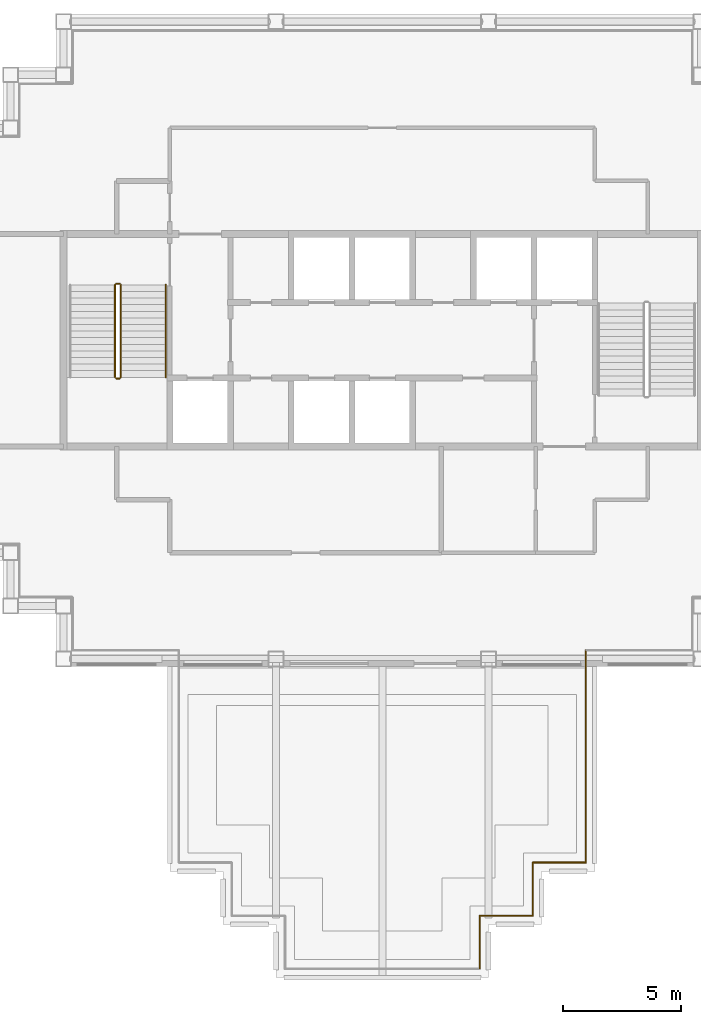
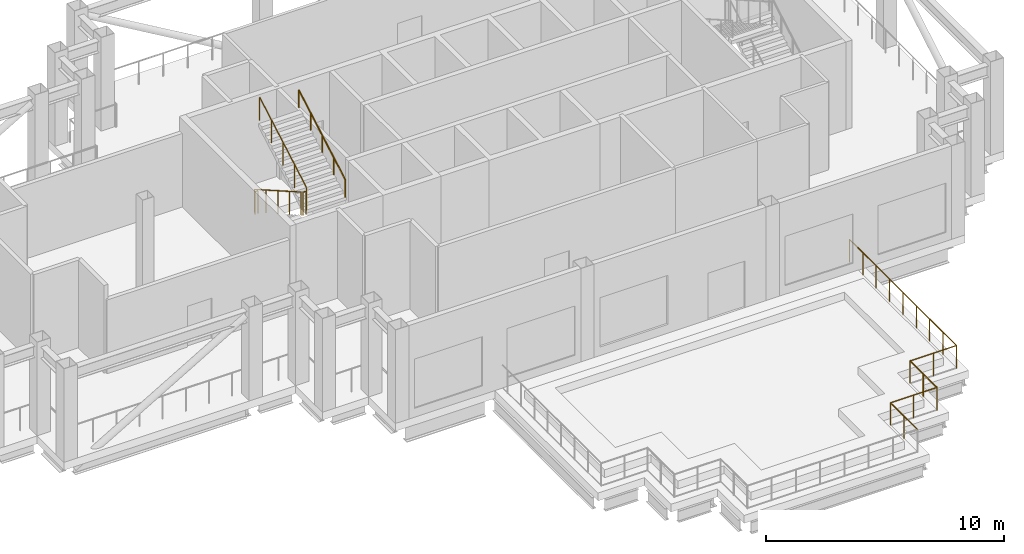
# One storey, part 8 of 10: 10 railings.
"""IFC4 building model written with IfcOpenShell, lengths in metres."""

from ifc_helpers import new_model, si_unit, direction, frame, origin, origin_2d, place, context, subcontext, project, spatial, circle, extrude, material, type_object, element, save


model = new_model("IFC4")

# Units and contexts
model_context = context("Model", 3, precision=1e-05, world=origin(), true_north=direction((0.0, 1.0)))
body_context = subcontext(model_context, "Body", "Model", "MODEL_VIEW")
ifc_project = project(units=[si_unit("LENGTHUNIT", "METRE"), si_unit("AREAUNIT", "SQUARE_METRE"), si_unit("VOLUMEUNIT", "CUBIC_METRE"), si_unit("PLANEANGLEUNIT", "RADIAN"), si_unit("MASSUNIT", "GRAM", prefix="KILO")], contexts=[model_context])

# Site, building, storey
site_placement = place(None, origin())
site = spatial("IfcSite", under=ifc_project, at=site_placement, CompositionType="ELEMENT")
building_placement = place(site_placement, origin())
building = spatial("IfcBuilding", under=site, at=building_placement, Name="Caravel Reach Hotel and Residences", CompositionType="ELEMENT")
storey_placement = place(building_placement, frame((0.0, 0.0, 233.10009765625)))
storey = spatial("IfcBuildingStorey", under=building, at=storey_placement, Name="L59", CompositionType="ELEMENT", Elevation=233.10009765625)

# Railings
ifc_material_1 = material(Name="Stainless steel S30408", Category="steel")
railing_type_1 = type_object("IfcRailingType", Name="G1 Guard 1200 stainless", PredefinedType="GUARDRAIL", material=ifc_material_1)
railing_1_placement = place(storey_placement, frame((37.875, 4.875, 0.0)))
element("IfcRailing", 1, at=railing_1_placement, inside=storey, type_object=railing_type_1, Name="Guard L59 1 run 1", PredefinedType="GUARDRAIL", context=body_context, shape_type="SweptSolid", body=[
    extrude(circle(Radius=0.02392578125, at=origin_2d()), frame((0.0, 0.0, 1.17578125), z_axis=(1.0, 0.0, 0.0), x_axis=(0.0, 1.0, 0.0)), (0.0, 0.0, 1.0), 2.25),
    extrude(circle(Radius=0.02099609375, at=origin_2d()), origin(), (0.0, 0.0, 1.0), 1.15185546875),
    extrude(circle(Radius=0.02099609375, at=origin_2d()), frame((1.125, 0.0, 0.0)), (0.0, 0.0, 1.0), 1.15185546875),
    extrude(circle(Radius=0.02099609375, at=origin_2d()), frame((2.25, 0.0, 0.0)), (0.0, 0.0, 1.0), 1.15185546875),
])
railing_2_placement = place(storey_placement, frame((40.125, 4.875, 0.0)))
element("IfcRailing", 2, at=railing_2_placement, inside=storey, type_object=railing_type_1, Name="Guard L59 1 run 2", PredefinedType="GUARDRAIL", context=body_context, shape_type="SweptSolid", body=[
    extrude(circle(Radius=0.02392578125, at=origin_2d()), frame((0.0, 0.0, 1.17578125), z_axis=(0.0, 1.0, 0.0), x_axis=(-1.0, 0.0, 0.0)), (0.0, 0.0, 1.0), 9.0),
    extrude(circle(Radius=0.02099609375, at=origin_2d()), frame((0.0, 1.125, 0.0)), (0.0, 0.0, 1.0), 1.15185546875),
    extrude(circle(Radius=0.02099609375, at=origin_2d()), frame((0.0, 2.25, 0.0)), (0.0, 0.0, 1.0), 1.15185546875),
    extrude(circle(Radius=0.02099609375, at=origin_2d()), frame((0.0, 3.375, 0.0)), (0.0, 0.0, 1.0), 1.15185546875),
    extrude(circle(Radius=0.02099609375, at=origin_2d()), frame((0.0, 4.5, 0.0)), (0.0, 0.0, 1.0), 1.15185546875),
    extrude(circle(Radius=0.02099609375, at=origin_2d()), frame((0.0, 5.625, 0.0)), (0.0, 0.0, 1.0), 1.15185546875),
    extrude(circle(Radius=0.02099609375, at=origin_2d()), frame((0.0, 6.75, 0.0)), (0.0, 0.0, 1.0), 1.15185546875),
    extrude(circle(Radius=0.02099609375, at=origin_2d()), frame((0.0, 7.875, 0.0)), (0.0, 0.0, 1.0), 1.15185546875),
    extrude(circle(Radius=0.02099609375, at=origin_2d()), frame((0.0, 9.0, 0.0)), (0.0, 0.0, 1.0), 1.15185546875),
])
railing_3_placement = place(storey_placement, frame((35.625, 0.375, 0.0)))
element("IfcRailing", 3, at=railing_3_placement, inside=storey, type_object=railing_type_1, Name="Guard L59 1 run 38", PredefinedType="GUARDRAIL", context=body_context, shape_type="SweptSolid", body=[
    extrude(circle(Radius=0.02392578125, at=origin_2d()), frame((0.0, 0.0, 1.17578125), z_axis=(0.0, 1.0, 0.0), x_axis=(-1.0, 0.0, 0.0)), (0.0, 0.0, 1.0), 2.25),
    extrude(circle(Radius=0.02099609375, at=origin_2d()), frame((0.0, 1.125, 0.0)), (0.0, 0.0, 1.0), 1.15185546875),
    extrude(circle(Radius=0.02099609375, at=origin_2d()), frame((0.0, 2.25, 0.0)), (0.0, 0.0, 1.0), 1.15185546875),
])
railing_4_placement = place(storey_placement, frame((35.625, 2.625, 0.0)))
element("IfcRailing", 4, at=railing_4_placement, inside=storey, type_object=railing_type_1, Name="Guard L59 1 run 39", PredefinedType="GUARDRAIL", context=body_context, shape_type="SweptSolid", body=[
    extrude(circle(Radius=0.02392578125, at=origin_2d()), frame((0.0, 0.0, 1.17578125), z_axis=(1.0, 0.0, 0.0), x_axis=(0.0, 1.0, 0.0)), (0.0, 0.0, 1.0), 2.25),
    extrude(circle(Radius=0.02099609375, at=origin_2d()), frame((1.125, 0.0, 0.0)), (0.0, 0.0, 1.0), 1.15185546875),
    extrude(circle(Radius=0.02099609375, at=origin_2d()), frame((2.25, 0.0, 0.0)), (0.0, 0.0, 1.0), 1.15185546875),
])
railing_5_placement = place(storey_placement, frame((37.875, 2.625, 0.0)))
element("IfcRailing", 5, at=railing_5_placement, inside=storey, type_object=railing_type_1, Name="Guard L59 1 run 40", PredefinedType="GUARDRAIL", context=body_context, shape_type="SweptSolid", body=[
    extrude(circle(Radius=0.02392578125, at=origin_2d()), frame((0.0, 0.0, 1.17578125), z_axis=(0.0, 1.0, 0.0), x_axis=(-1.0, 0.0, 0.0)), (0.0, 0.0, 1.0), 2.25),
    extrude(circle(Radius=0.02099609375, at=origin_2d()), frame((0.0, 1.125, 0.0)), (0.0, 0.0, 1.0), 1.15185546875),
])
ifc_material_2 = material(Name="Steel balustrade with glass infill", Category="steel")
railing_type_2 = type_object("IfcRailingType", Name="Guard 1200", PredefinedType="GUARDRAIL", material=ifc_material_2)
railing_6_placement = place(storey_placement, frame((20.175048828125, 29.35009765625, 0.159912109375)))
element("IfcRailing", 6, at=railing_6_placement, inside=storey, type_object=railing_type_2, Name="L59 ST-A stair guard 1", PredefinedType="GUARDRAIL", context=body_context, shape_type="SweptSolid", body=[
    extrude(circle(Radius=0.02392578125, at=origin_2d()), frame((0.0, 0.0, 1.17578125), z_axis=(0.0, -0.86825312469, 0.496121468458), x_axis=(1.0, 0.0, 0.0)), (0.0, 0.0, 1.0), 4.514892578125),
    extrude(circle(Radius=0.02099609375, at=origin_2d()), origin(), (0.0, 0.0, 1.0), 1.15185546875),
    extrude(circle(Radius=0.02099609375, at=origin_2d()), frame((0.0, -0.97998046875, 0.56005859375)), (0.0, 0.0, 1.0), 1.15185546875),
    extrude(circle(Radius=0.02099609375, at=origin_2d()), frame((0.0, -1.9599609375, 1.1201171875)), (0.0, 0.0, 1.0), 1.15185546875),
    extrude(circle(Radius=0.02099609375, at=origin_2d()), frame((0.0, -2.940185546875, 1.679931640625)), (0.0, 0.0, 1.0), 1.15185546875),
    extrude(circle(Radius=0.02099609375, at=origin_2d()), frame((0.0, -3.920166015625, 2.239990234375)), (0.0, 0.0, 1.0), 1.15185546875),
])
railing_7_placement = place(storey_placement, frame((20.22509765625, 25.3798828125, 2.39990234375)))
element("IfcRailing", 7, at=railing_7_placement, inside=storey, type_object=railing_type_2, Name="L59 ST-A stair guard 2", PredefinedType="GUARDRAIL", context=body_context, shape_type="SweptSolid", body=[
    extrude(circle(Radius=0.02392578125, at=origin_2d()), frame((0.0, 0.0, 1.17578125), z_axis=(1.0, 0.0, 0.0), x_axis=(0.0, 1.0, 0.0)), (0.0, 0.0, 1.0), 0.14990234375),
    extrude(circle(Radius=0.02099609375, at=origin_2d()), origin(), (0.0, 0.0, 1.0), 1.15185546875),
    extrude(circle(Radius=0.02099609375, at=origin_2d()), frame((0.14990234375, 0.0, 0.0)), (0.0, 0.0, 1.0), 1.15185546875),
])
railing_8_placement = place(storey_placement, frame((20.425048828125, 25.429931640625, 2.559814453125)))
element("IfcRailing", 8, at=railing_8_placement, inside=storey, type_object=railing_type_2, Name="L59 ST-A stair guard 3", PredefinedType="GUARDRAIL", context=body_context, shape_type="SweptSolid", body=[
    extrude(circle(Radius=0.02392578125, at=origin_2d()), frame((0.0, 0.0, 1.17578125), z_axis=(0.0, 0.86825312469, 0.496121468458), x_axis=(-1.0, 0.0, 0.0)), (0.0, 0.0, 1.0), 4.514892578125),
    extrude(circle(Radius=0.02099609375, at=origin_2d()), origin(), (0.0, 0.0, 1.0), 1.15185546875),
    extrude(circle(Radius=0.02099609375, at=origin_2d()), frame((0.0, 0.97998046875, 0.56005859375)), (0.0, 0.0, 1.0), 1.15185546875),
    extrude(circle(Radius=0.02099609375, at=origin_2d()), frame((0.0, 1.9599609375, 1.1201171875)), (0.0, 0.0, 1.0), 1.15185546875),
    extrude(circle(Radius=0.02099609375, at=origin_2d()), frame((0.0, 2.940185546875, 1.679931640625)), (0.0, 0.0, 1.0), 1.15185546875),
    extrude(circle(Radius=0.02099609375, at=origin_2d()), frame((0.0, 3.920166015625, 2.239990234375)), (0.0, 0.0, 1.0), 1.15185546875),
])
railing_9_placement = place(storey_placement, frame((20.22509765625, 29.39990234375, 0.0)))
element("IfcRailing", 9, at=railing_9_placement, inside=storey, type_object=railing_type_2, Name="L59 ST-A stair guard 4", PredefinedType="GUARDRAIL", context=body_context, shape_type="SweptSolid", body=[
    extrude(circle(Radius=0.02392578125, at=origin_2d()), frame((0.0, 0.0, 1.17578125), z_axis=(1.0, 0.0, 0.0), x_axis=(0.0, 1.0, 0.0)), (0.0, 0.0, 1.0), 0.14990234375),
    extrude(circle(Radius=0.02099609375, at=origin_2d()), origin(), (0.0, 0.0, 1.0), 1.15185546875),
    extrude(circle(Radius=0.02099609375, at=origin_2d()), frame((0.14990234375, 0.0, 0.0)), (0.0, 0.0, 1.0), 1.15185546875),
])
ifc_material_3 = material(Name="Stainless steel handrail", Category="steel")
railing_type_3 = type_object("IfcRailingType", Name="Handrail 900", PredefinedType="HANDRAIL", material=ifc_material_3)
railing_10_placement = place(storey_placement, frame((22.324951171875, 25.429931640625, 2.559814453125)))
element("IfcRailing", 10, at=railing_10_placement, inside=storey, type_object=railing_type_3, Name="L59 ST-A stair handrail 2", PredefinedType="HANDRAIL", context=body_context, shape_type="SweptSolid", body=[
    extrude(circle(Radius=0.02392578125, at=origin_2d()), frame((0.0, 0.0, 0.8759765625), z_axis=(0.0, 0.86825312469, 0.496121468458), x_axis=(-1.0, 0.0, 0.0)), (0.0, 0.0, 1.0), 4.514892578125),
    extrude(circle(Radius=0.02099609375, at=origin_2d()), origin(), (0.0, 0.0, 1.0), 0.851806640625),
    extrude(circle(Radius=0.02099609375, at=origin_2d()), frame((0.0, 0.97998046875, 0.56005859375)), (0.0, 0.0, 1.0), 0.851806640625),
    extrude(circle(Radius=0.02099609375, at=origin_2d()), frame((0.0, 1.9599609375, 1.1201171875)), (0.0, 0.0, 1.0), 0.851806640625),
    extrude(circle(Radius=0.02099609375, at=origin_2d()), frame((0.0, 2.940185546875, 1.679931640625)), (0.0, 0.0, 1.0), 0.851806640625),
    extrude(circle(Radius=0.02099609375, at=origin_2d()), frame((0.0, 3.920166015625, 2.239990234375)), (0.0, 0.0, 1.0), 0.851806640625),
])

save(model, "model.ifc")
